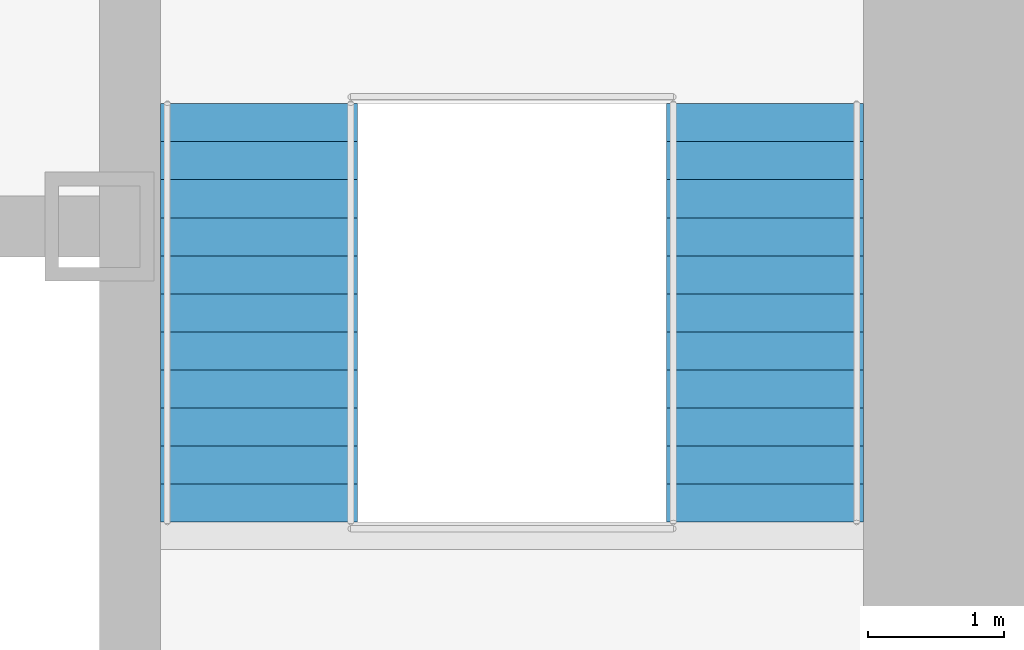
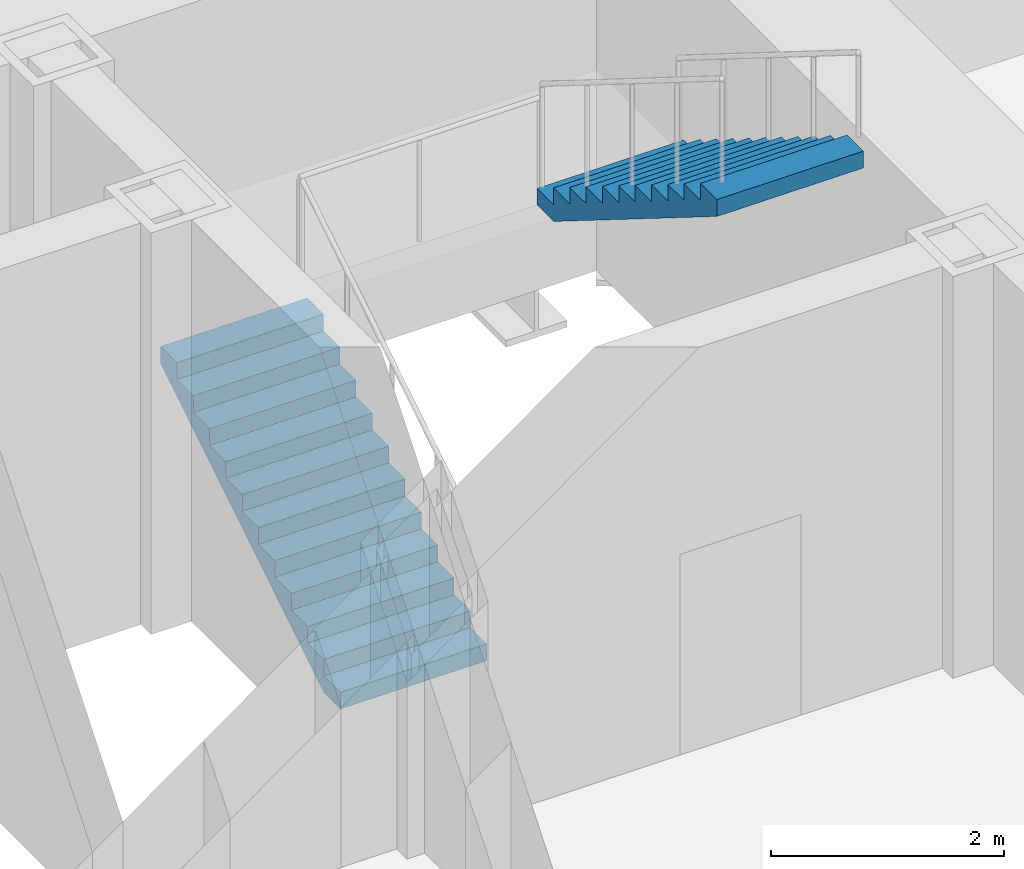
# One storey, part 11 of 17: 2 stair flights, 1 element without a shape of its own.
"""IFC4 building model written with IfcOpenShell, lengths in metres."""

import ifcopenshell
import ifcopenshell.guid

model = None  # the IFC model being written
_history = None  # IfcOwnerHistory: only IFC2X3 demands one
_inside = {}  # id of a spatial element -> (the spatial element, [elements in it])
_under = {}  # id of a project, library or spatial element -> (it, [spatial elements below it])
_declared = {}  # id of a project -> (the project, [libraries it declares])
_typed = {}  # id of a type object -> (the type object, [elements of that type])
_made_of = {}  # id of a material, layer set ... -> (it, [elements and type objects made of it])


def new_model(schema):
    """Start an empty IFC model of exactly this schema.

    Asked for "IFC4X3", IfcOpenShell would pick the latest addendum, in which some entities
    have other attributes; the version numbers below select the first issue.
    IFC2X3 requires an IfcOwnerHistory on every rooted entity: one is made here for all.
    """
    global model, _history
    if schema == "IFC4X3":
        model = ifcopenshell.file(schema_version=(4, 3, 0, 0))
    else:
        model = ifcopenshell.file(schema=schema)
    _inside.clear()
    _under.clear()
    _declared.clear()
    _typed.clear()
    _made_of.clear()
    _history = None
    if model.schema == "IFC2X3":
        org = make("IfcOrganization", Name="unknown")
        user = make(
            "IfcPersonAndOrganization",
            ThePerson=make("IfcPerson", FamilyName="unknown"),
            TheOrganization=org,
        )
        app = make(
            "IfcApplication",
            ApplicationDeveloper=org,
            Version="unknown",
            ApplicationFullName="unknown",
            ApplicationIdentifier="unknown",
        )
        _history = make(
            "IfcOwnerHistory",
            OwningUser=user,
            OwningApplication=app,
            ChangeAction="ADDED",
            CreationDate=0,
        )
    return model


def make(cls, **values):
    """One entity of the class cls with the attributes given. An attribute that is None is left unset."""
    return model.create_entity(
        cls, **{name: value for name, value in values.items() if value is not None}
    )


def rooted(cls, **values):
    """An entity with a GlobalId (a new one), such as an element, a storey or a relation."""
    return make(cls, GlobalId=ifcopenshell.guid.new(), OwnerHistory=_history, **values)


def si_unit(unit_type, name, prefix=None):
    """IfcSIUnit, for example si_unit("LENGTHUNIT", "METRE", prefix="MILLI")."""
    return make("IfcSIUnit", UnitType=unit_type, Prefix=prefix, Name=name)


def assignment(units):
    """IfcUnitAssignment: the units of a project."""
    return None if units is None else make("IfcUnitAssignment", Units=units)


def point(xyz):
    """IfcCartesianPoint."""
    return None if xyz is None else make("IfcCartesianPoint", Coordinates=xyz)


def direction(xyz):
    """IfcDirection."""
    return None if xyz is None else make("IfcDirection", DirectionRatios=xyz)


def frame(location, z_axis=None, x_axis=None):
    """IfcAxis2Placement3D, a coordinate frame: its origin and axes. An axis left out is left unset."""
    return make(
        "IfcAxis2Placement3D",
        Location=point(location),
        Axis=direction(z_axis),
        RefDirection=direction(x_axis),
    )


def origin():
    """The frame at (0, 0, 0) with its axes left unset."""
    return frame((0.0, 0.0, 0.0))


def place(relative_to, where):
    """IfcLocalPlacement: puts the frame where relative to a parent placement (None: the world)."""
    return make(
        "IfcLocalPlacement", PlacementRelTo=relative_to, RelativePlacement=where
    )


def context(
    kind, dimensions, precision=None, world=None, true_north=None, identifier=None
):
    """IfcGeometricRepresentationContext, for example the 3D "Model" context."""
    return make(
        "IfcGeometricRepresentationContext",
        ContextIdentifier=identifier,
        ContextType=kind,
        CoordinateSpaceDimension=dimensions,
        Precision=precision,
        WorldCoordinateSystem=world,
        TrueNorth=true_north,
    )


def subcontext(parent, identifier, kind, view, scale=None):
    """IfcGeometricRepresentationSubContext, for example "Body" below "Model"."""
    return make(
        "IfcGeometricRepresentationSubContext",
        ContextIdentifier=identifier,
        ContextType=kind,
        ParentContext=parent,
        TargetScale=scale,
        TargetView=view,
    )


def project(units=None, contexts=None):
    """IfcProject with its units and contexts."""
    return rooted(
        "IfcProject",
        Name="project",
        RepresentationContexts=contexts,
        UnitsInContext=assignment(units),
    )


def spatial(cls, under=None, at=None, **own):
    """A site, building, storey or space (cls), placed at a placement, below another one or the project."""
    s = rooted(cls, ObjectPlacement=at, **own)
    if under is not None:
        _under.setdefault(under.id(), (under, []))[1].append(s)
    return s


def polyline(points):
    """IfcPolyline through the points."""
    return make("IfcPolyline", Points=[point(p) for p in points])


def outline(outer, holes=None, kind="AREA"):
    """IfcArbitraryClosedProfileDef: a profile drawn as a closed curve; with holes, ...WithVoids."""
    if holes is None:
        return make("IfcArbitraryClosedProfileDef", ProfileType=kind, OuterCurve=outer)
    return make(
        "IfcArbitraryProfileDefWithVoids",
        ProfileType=kind,
        OuterCurve=outer,
        InnerCurves=holes,
    )


def extrude(swept, where, along, depth):
    """IfcExtrudedAreaSolid: the profile swept, set in the frame where, extruded along a direction by depth."""
    return make(
        "IfcExtrudedAreaSolid",
        SweptArea=swept,
        Position=where,
        ExtrudedDirection=direction(along),
        Depth=depth,
    )


def shape(context_of_items, identifier, shape_type, items):
    """IfcShapeRepresentation: the items that make up one representation, for example the "Body"."""
    return make(
        "IfcShapeRepresentation",
        ContextOfItems=context_of_items,
        RepresentationIdentifier=identifier,
        RepresentationType=shape_type,
        Items=items,
    )


def material(Name=None, Category=None):
    """IfcMaterial."""
    return make("IfcMaterial", Name=Name, Category=Category)


def made_of(thing, what):
    """Note that an element or type object is made of a material, layer set ...; save() writes the relation."""
    if what is not None:
        _made_of.setdefault(what.id(), (what, []))[1].append(thing)
    return thing


def type_object(cls, material=None, **own):
    """A type object (cls), such as IfcWallType, which elements share."""
    return made_of(rooted(cls, **own), material)


def element(
    cls,
    number,
    at=None,
    inside=None,
    cuts=None,
    type_object=None,
    material=None,
    context=None,
    identifier="Body",
    shape_type=None,
    held_by="IfcProductDefinitionShape",
    body=None,
    shapes=None,
    **own,
):
    """One element of the class cls, such as IfcWall. Its Tag is "e" and its number.

    at: its placement. inside: the storey or other place that contains it. cuts: it is an
    opening in that element (IfcRelVoidsElement). A single representation is given by context,
    identifier, shape_type and body (its items); several are given by shapes. held_by: the class
    of the entity that holds the representations. save() writes the other relations.
    """
    e = rooted(cls, Tag="e%d" % number, ObjectPlacement=at, **own)
    if body is not None:
        shapes = [shape(context, identifier, shape_type, body)]
    if shapes is not None:
        e.Representation = make(held_by, Representations=shapes)
    if inside is not None:
        _inside.setdefault(inside.id(), (inside, []))[1].append(e)
    if cuts is not None:
        rooted(
            "IfcRelVoidsElement", RelatingBuildingElement=cuts, RelatedOpeningElement=e
        )
    if type_object is not None:
        _typed.setdefault(type_object.id(), (type_object, []))[1].append(e)
    return made_of(e, material)


def aggregate(whole, parts):
    """IfcRelAggregates: a whole, such as a stair, and the parts it consists of."""
    return rooted("IfcRelAggregates", RelatingObject=whole, RelatedObjects=parts)


def save(model, path):
    """Write the relations noted so far, then the file.

    IfcRelAggregates (storeys below a building ...), IfcRelContainedInSpatialStructure (elements
    in a storey), IfcRelDefinesByType, IfcRelAssociatesMaterial and IfcRelDeclares: one each for
    every whole, place, type object, material and project.
    """
    for whole, parts in _under.values():
        aggregate(whole, parts)
    for where, things in _inside.values():
        rooted(
            "IfcRelContainedInSpatialStructure",
            RelatedElements=things,
            RelatingStructure=where,
        )
    for kind, things in _typed.values():
        rooted("IfcRelDefinesByType", RelatedObjects=things, RelatingType=kind)
    for what, things in _made_of.values():
        rooted("IfcRelAssociatesMaterial", RelatedObjects=things, RelatingMaterial=what)
    for by, libraries in _declared.values():
        rooted("IfcRelDeclares", RelatingContext=by, RelatedDefinitions=libraries)
    model.write(path)


model = new_model("IFC4")

# Units and contexts
model_context = context("Model", 3, precision=1e-05, world=origin(), true_north=direction((0.0, 1.0)))
body_context = subcontext(model_context, "Body", "Model", "MODEL_VIEW")
ifc_project = project(units=[si_unit("LENGTHUNIT", "METRE"), si_unit("AREAUNIT", "SQUARE_METRE"), si_unit("VOLUMEUNIT", "CUBIC_METRE"), si_unit("PLANEANGLEUNIT", "RADIAN"), si_unit("MASSUNIT", "GRAM", prefix="KILO")], contexts=[model_context])

# Site, building, storey
site_placement = place(None, origin())
site = spatial("IfcSite", under=ifc_project, at=site_placement, CompositionType="ELEMENT")
building_placement = place(site_placement, origin())
building = spatial("IfcBuilding", under=site, at=building_placement, Name="Daluyong Arena Tower", CompositionType="ELEMENT")
storey_placement = place(building_placement, frame((0.0, 0.0, 158.5)))
storey = spatial("IfcBuildingStorey", under=building, at=storey_placement, Name="L35", CompositionType="ELEMENT", Elevation=158.5)

# Stair, stair flights
ifc_material_1 = material(Name="Concrete fc' 35 MPa", Category="concrete")
stair_type = type_object("IfcStairType", Name="Core exit stair", PredefinedType="HALF_TURN_STAIR", material=ifc_material_1)
stair_placement = place(storey_placement, origin())
stair = element("IfcStair", 1, at=stair_placement, inside=storey, type_object=stair_type, Name="exit stair B L35", PredefinedType="HALF_TURN_STAIR")
ifc_material_2 = material(Name="Concrete fc' 35 MPa", Category="concrete")
stair_flight_type = type_object("IfcStairFlightType", Name="Core stair flight", PredefinedType="STRAIGHT", material=ifc_material_2)
stair_flight_1_placement = place(storey_placement, frame((62.949951171875, 83.824951171875, 0.0), z_axis=(0.0, 0.0, 1.0), x_axis=(0.0, 1.0, 0.0)))
stair_flight_1 = element("IfcStairFlight", 2, at=stair_flight_1_placement, type_object=stair_flight_type, Name="STB flight 1", NumberOfRisers=12, NumberOfTreads=11, PredefinedType="STRAIGHT", RiserHeight=0.175, TreadLength=0.28, context=body_context, shape_type="SweptSolid", body=[
    extrude(outline(polyline([(0.0, 0.0), (0.0, 0.175048828125), (0.280029296875, 0.175048828125), (0.280029296875, 0.35009765625), (0.56005859375, 0.35009765625), (0.56005859375, 0.52490234375), (0.840087890625, 0.52490234375), (0.840087890625, 0.699951171875), (1.1201171875, 0.699951171875), (1.1201171875, 0.875), (1.39990234375, 0.875), (1.39990234375, 1.050048828125), (1.679931640625, 1.050048828125), (1.679931640625, 1.22509765625), (1.9599609375, 1.22509765625), (1.9599609375, 1.39990234375), (2.239990234375, 1.39990234375), (2.239990234375, 1.574951171875), (2.52001953125, 1.574951171875), (2.52001953125, 1.75), (2.800048828125, 1.75), (2.800048828125, 1.925048828125), (3.080078125, 1.925048828125), (3.080078125, 2.10009765625), (3.080078125, 1.748291015625), (0.28271484375, 0.0), (0.0, 0.0)])), frame((0.0, 0.72509765625, 0.0), z_axis=(0.0, -1.0, 0.0), x_axis=(1.0, 0.0, 0.0)), (0.0, 0.0, 1.0), 1.449951171875),
])
stair_flight_2_placement = place(storey_placement, frame((66.675048828125, 86.905029296875, 2.10009765625), z_axis=(0.0, 0.0, 1.0), x_axis=(0.0, -1.0, 0.0)))
stair_flight_2 = element("IfcStairFlight", 3, at=stair_flight_2_placement, type_object=stair_flight_type, Name="STB flight 2", NumberOfRisers=12, NumberOfTreads=11, PredefinedType="STRAIGHT", RiserHeight=0.175, TreadLength=0.28, context=body_context, shape_type="SweptSolid", body=[
    extrude(outline(polyline([(0.0, 0.0), (0.0, 0.175048828125), (0.280029296875, 0.175048828125), (0.280029296875, 0.35009765625), (0.56005859375, 0.35009765625), (0.56005859375, 0.52490234375), (0.840087890625, 0.52490234375), (0.840087890625, 0.699951171875), (1.1201171875, 0.699951171875), (1.1201171875, 0.875), (1.39990234375, 0.875), (1.39990234375, 1.050048828125), (1.679931640625, 1.050048828125), (1.679931640625, 1.22509765625), (1.9599609375, 1.22509765625), (1.9599609375, 1.39990234375), (2.239990234375, 1.39990234375), (2.239990234375, 1.574951171875), (2.52001953125, 1.574951171875), (2.52001953125, 1.75), (2.800048828125, 1.75), (2.800048828125, 1.925048828125), (3.080078125, 1.925048828125), (3.080078125, 2.10009765625), (3.080078125, 1.748291015625), (0.28271484375, 0.0), (0.0, 0.0)])), frame((0.0, 0.72509765625, 0.0), z_axis=(0.0, -1.0, 0.0), x_axis=(1.0, 0.0, 0.0)), (0.0, 0.0, 1.0), 1.449951171875),
])
aggregate(stair, [stair_flight_1, stair_flight_2])

save(model, "model.ifc")
